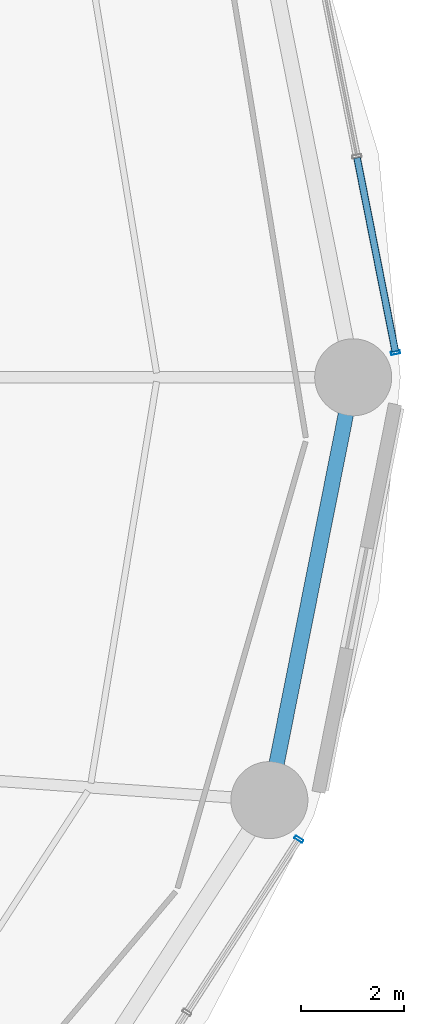
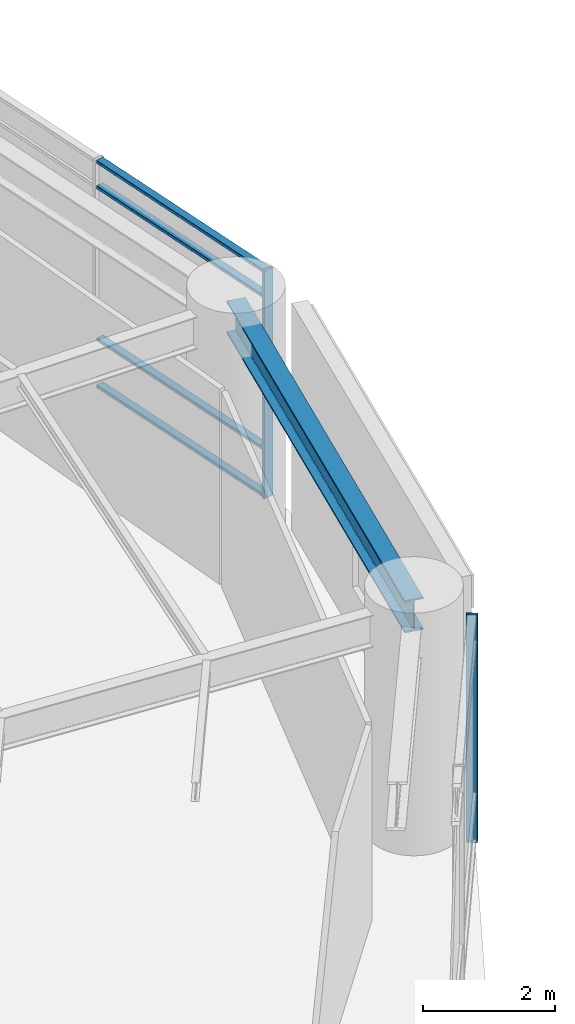
# One storey, part 23 of 46: 6 members, 1 beam, 2 elements without a shape of their own.
"""IFC4 building model written with IfcOpenShell, lengths in metres."""

from ifc_helpers import new_model, si_unit, direction, frame, origin, origin_2d, place, context, subcontext, project, spatial, hollow_rectangle, i_section, extrude, material, layer, layer_set, material_profile, profile_set, type_object, element, aggregate, save


model = new_model("IFC4")

# Units and contexts
model_context = context("Model", 3, precision=1e-05, world=origin(), true_north=direction((0.0, 1.0)))
body_context = subcontext(model_context, "Body", "Model", "MODEL_VIEW")
ifc_project = project(units=[si_unit("LENGTHUNIT", "METRE"), si_unit("AREAUNIT", "SQUARE_METRE"), si_unit("VOLUMEUNIT", "CUBIC_METRE"), si_unit("PLANEANGLEUNIT", "RADIAN"), si_unit("MASSUNIT", "GRAM", prefix="KILO")], contexts=[model_context])

# Site, building, storey
site_placement = place(None, origin())
site = spatial("IfcSite", under=ifc_project, at=site_placement, CompositionType="ELEMENT")
building_placement = place(site_placement, origin())
building = spatial("IfcBuilding", under=site, at=building_placement, Name="Kelanora Arch Commons", CompositionType="ELEMENT")
storey_placement = place(building_placement, frame((0.0, 0.0, 18.0)))
storey = spatial("IfcBuildingStorey", under=building, at=storey_placement, Name="L04", CompositionType="ELEMENT", Elevation=18.0)

# Beam
ifc_material_1 = material(Name="Steel S355", Category="steel")
ifc_material_profile_1 = material_profile(ifc_material_1, i_section(OverallWidth=0.300048828125, OverallDepth=0.60009765625, WebThickness=0.015380859375, FlangeThickness=0.030029296875, FilletRadius=0.027099609375, at=origin_2d()), Name="HEB600")
ifc_profile_set_1 = profile_set([ifc_material_profile_1], Name="Steel S355")
beam_type = type_object("IfcBeamType", Name="BM-SPN-Z1", PredefinedType="SPANDREL", material=ifc_profile_set_1)
beam_placement = place(storey_placement, frame((99.447021484375, 49.76416015625, 3.93994140625), z_axis=(0.194499827256, 0.980902552345, 0.0), x_axis=(-0.980902552345, 0.194499827256, 0.0)))
element("IfcBeam", 1, at=beam_placement, inside=storey, type_object=beam_type, Name="Perimeter Spandrel Beam BS-34 L04", PredefinedType="SPANDREL", context=body_context, shape_type="SweptSolid", body=[
    extrude(i_section(OverallWidth=0.300048828125, OverallDepth=0.60009765625, WebThickness=0.015380859375, FlangeThickness=0.030029296875, FilletRadius=0.027099609375, at=origin_2d()), origin(), (0.0, 0.0, 1.0), 8.396240234375),
])

# Curtain wall, member
ifc_material_2 = material(Name="Terracotta ceramic-fritted low-E glass and aluminium", Category="masonry")
ifc_layer = layer(ifc_material_2, 0.2099609375)
ifc_layer_set = layer_set([ifc_layer], Name="Terracotta ceramic-fritted low-E glass and aluminium")
curtain_wall_type = type_object("IfcCurtainWallType", Name="CW-SYS-04", PredefinedType="NOTDEFINED", material=ifc_layer_set)
curtain_wall_1_placement = place(storey_placement, origin())
curtain_wall_1 = element("IfcCurtainWall", 2, at=curtain_wall_1_placement, inside=storey, type_object=curtain_wall_type, Name="Unitised Curtain Wall L04-B00", PredefinedType="NOTDEFINED")
ifc_material_3 = material(Name="Powder-coated aluminium terracotta", Category="masonry")
ifc_material_profile_2 = material_profile(ifc_material_3, hollow_rectangle(XDim=0.179931640625, YDim=0.06005859375, WallThickness=0.0048828125, InnerFilletRadius=0.0048828125, OuterFilletRadius=0.010009765625, at=origin_2d()), Name="CWM180x60")
ifc_profile_set_2 = profile_set([ifc_material_profile_2], Name="Powder-coated aluminium terracotta")
member_type_1 = type_object("IfcMemberType", Name="CWM-HVY", PredefinedType="MULLION", material=ifc_profile_set_2)
member_1_placement = place(storey_placement, frame((101.9052734375, 58.47900390625, 0.0), z_axis=(0.0, 0.0, 1.0), x_axis=(-0.981053537743, -0.193736821698, 0.0)))
member_1 = element("IfcMember", 3, at=member_1_placement, type_object=member_type_1, Name="CW-04 mullion 1", PredefinedType="MULLION", context=body_context, shape_type="SweptSolid", body=[
    extrude(hollow_rectangle(XDim=0.179931640625, YDim=0.06005859375, WallThickness=0.0048828125, InnerFilletRadius=0.0048828125, OuterFilletRadius=0.010009765625, at=origin_2d()), origin(), (0.0, 0.0, 1.0), 4.22509765625),
])

curtain_wall_2_placement = place(storey_placement, origin())
curtain_wall_2 = element("IfcCurtainWall", 4, at=curtain_wall_2_placement, inside=storey, type_object=curtain_wall_type, Name="Unitised Curtain Wall L04-B16", PredefinedType="NOTDEFINED")
member_2_placement = place(storey_placement, frame((100.02197265625, 49.001953125, 0.0), z_axis=(0.0, 0.0, 1.0), x_axis=(-0.839728582399, 0.54300636083, 0.0)))
member_2 = element("IfcMember", 5, at=member_2_placement, type_object=member_type_1, Name="CW-04 mullion 3", PredefinedType="MULLION", context=body_context, shape_type="SweptSolid", body=[
    extrude(hollow_rectangle(XDim=0.179931640625, YDim=0.06005859375, WallThickness=0.0048828125, InnerFilletRadius=0.0048828125, OuterFilletRadius=0.010009765625, at=origin_2d()), origin(), (0.0, 0.0, 1.0), 4.22509765625),
])
aggregate(curtain_wall_2, [member_2])

# Member
ifc_material_profile_3 = material_profile(ifc_material_3, hollow_rectangle(XDim=0.139892578125, YDim=0.06005859375, WallThickness=0.0048828125, InnerFilletRadius=0.0048828125, OuterFilletRadius=0.010009765625, at=origin_2d()), Name="CWT140x60")
ifc_profile_set_3 = profile_set([ifc_material_profile_3], Name="Powder-coated aluminium terracotta")
member_type_2 = type_object("IfcMemberType", Name="CWT-HVY", PredefinedType="USERDEFINED", material=ifc_profile_set_3)
member_3_placement = place(storey_placement, frame((101.899658203125, 58.508544921875, 0.030029296875), z_axis=(-0.193779617254, 0.981045085578, 0.0), x_axis=(-0.981045085578, -0.193779617254, 0.0)))
member_3 = element("IfcMember", 6, at=member_3_placement, type_object=member_type_2, Name="CW-04 transom 1.1", ObjectType="TRANSOM", PredefinedType="USERDEFINED", context=body_context, shape_type="SweptSolid", body=[
    extrude(hollow_rectangle(XDim=0.139892578125, YDim=0.06005859375, WallThickness=0.0048828125, InnerFilletRadius=0.0048828125, OuterFilletRadius=0.010009765625, at=origin_2d()), origin(), (0.0, 0.0, 1.0), 3.8388671875),
])

member_4_placement = place(storey_placement, frame((101.899658203125, 58.508544921875, 0.89990234375), z_axis=(-0.193779617254, 0.981045085578, 0.0), x_axis=(-0.981045085578, -0.193779617254, 0.0)))
member_4 = element("IfcMember", 7, at=member_4_placement, type_object=member_type_2, Name="CW-04 transom 1.2", ObjectType="TRANSOM", PredefinedType="USERDEFINED", context=body_context, shape_type="SweptSolid", body=[
    extrude(hollow_rectangle(XDim=0.139892578125, YDim=0.06005859375, WallThickness=0.0048828125, InnerFilletRadius=0.0048828125, OuterFilletRadius=0.010009765625, at=origin_2d()), origin(), (0.0, 0.0, 1.0), 3.8388671875),
])

member_5_placement = place(storey_placement, frame((101.899658203125, 58.508544921875, 3.72509765625), z_axis=(-0.193779617254, 0.981045085578, 0.0), x_axis=(-0.981045085578, -0.193779617254, 0.0)))
member_5 = element("IfcMember", 8, at=member_5_placement, type_object=member_type_2, Name="CW-04 transom 1.3", ObjectType="TRANSOM", PredefinedType="USERDEFINED", context=body_context, shape_type="SweptSolid", body=[
    extrude(hollow_rectangle(XDim=0.139892578125, YDim=0.06005859375, WallThickness=0.0048828125, InnerFilletRadius=0.0048828125, OuterFilletRadius=0.010009765625, at=origin_2d()), origin(), (0.0, 0.0, 1.0), 3.8388671875),
])

member_6_placement = place(storey_placement, frame((101.899658203125, 58.508544921875, 4.195068359375), z_axis=(-0.193779617254, 0.981045085578, 0.0), x_axis=(-0.981045085578, -0.193779617254, 0.0)))
member_6 = element("IfcMember", 9, at=member_6_placement, type_object=member_type_2, Name="CW-04 transom 1.4", ObjectType="TRANSOM", PredefinedType="USERDEFINED", context=body_context, shape_type="SweptSolid", body=[
    extrude(hollow_rectangle(XDim=0.139892578125, YDim=0.06005859375, WallThickness=0.0048828125, InnerFilletRadius=0.0048828125, OuterFilletRadius=0.010009765625, at=origin_2d()), origin(), (0.0, 0.0, 1.0), 3.8388671875),
])

aggregate(curtain_wall_1, [member_1, member_3, member_4, member_5, member_6])

save(model, "model.ifc")
